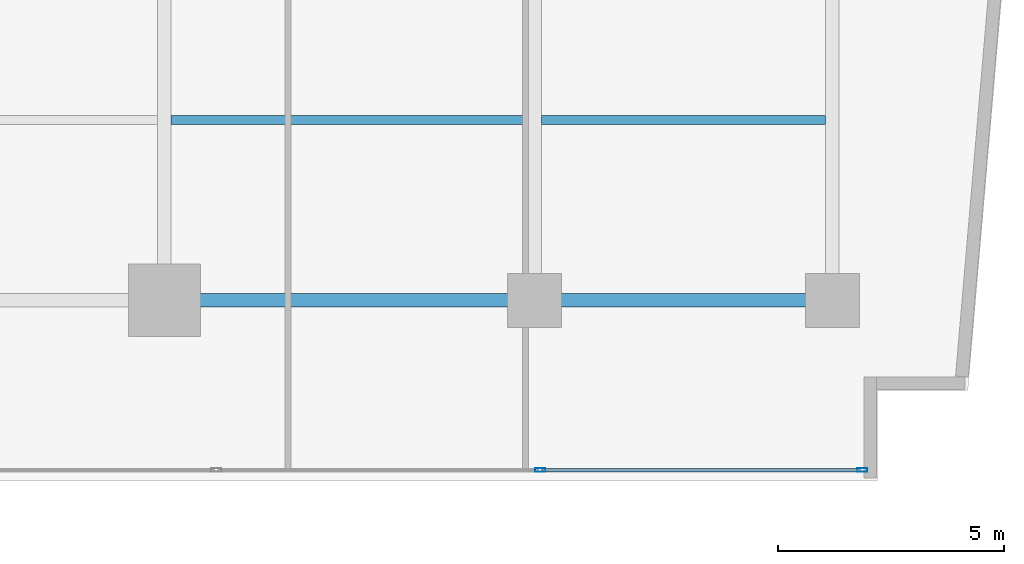
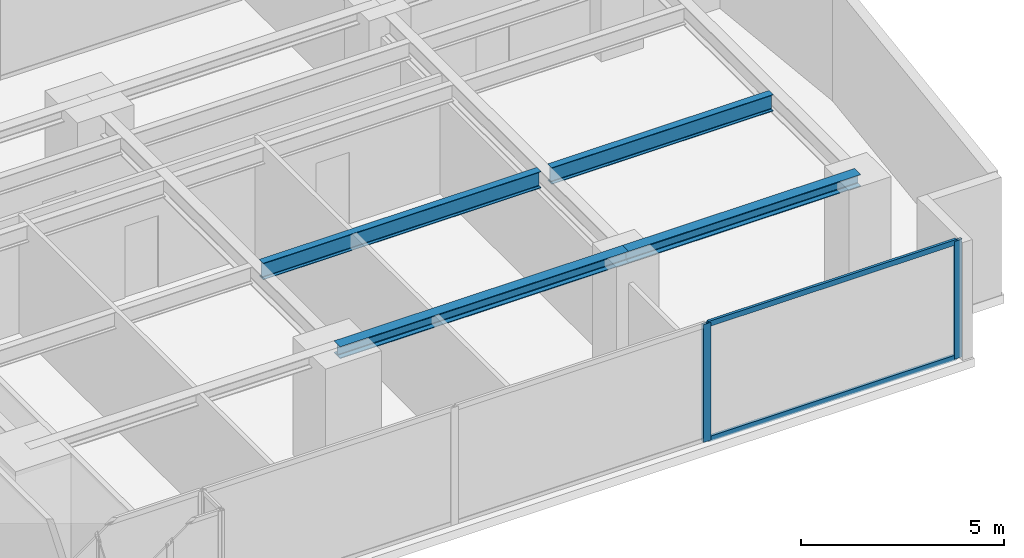
# One storey, part 11 of 28: 4 beams, 4 members, 1 element without a shape of its own.
"""IFC4 building model written with IfcOpenShell, lengths in metres."""

from ifc_helpers import new_model, si_unit, direction, frame, origin, origin_with_axes, origin_2d, place, context, subcontext, project, spatial, hollow_rectangle, i_section, extrude, source, transform, mapped, material, layer, layer_set, material_profile, profile_set, type_object, element, aggregate, save


model = new_model("IFC4")

# Units and contexts
model_context = context("Model", 3, precision=1e-05, world=origin(), true_north=direction((0.0, 1.0)))
body_context = subcontext(model_context, "Body", "Model", "MODEL_VIEW")
ifc_project = project(units=[si_unit("LENGTHUNIT", "METRE"), si_unit("AREAUNIT", "SQUARE_METRE"), si_unit("VOLUMEUNIT", "CUBIC_METRE"), si_unit("PLANEANGLEUNIT", "RADIAN"), si_unit("MASSUNIT", "GRAM", prefix="KILO")], contexts=[model_context])

# Site, building, storey
site_placement = place(None, origin())
site = spatial("IfcSite", under=ifc_project, at=site_placement, CompositionType="ELEMENT")
building_placement = place(site_placement, origin())
building = spatial("IfcBuilding", under=site, at=building_placement, Name="Kolvaren Waterfront Exchange", CompositionType="ELEMENT")
storey_placement = place(building_placement, frame((0.0, 0.0, 56.199951171875)))
storey = spatial("IfcBuildingStorey", under=building, at=storey_placement, Name="L14", CompositionType="ELEMENT", Elevation=56.199951171875)

# Beams
ifc_material_1 = material(Name="Steel S355", Category="steel")
ifc_material_profile_1 = material_profile(ifc_material_1, i_section(OverallWidth=0.300048828125, OverallDepth=0.360107421875, WebThickness=0.012451171875, FlangeThickness=0.0224609375, FilletRadius=0.027099609375, at=origin_2d()), Name="HEB360")
ifc_profile_set_1 = profile_set([ifc_material_profile_1], Name="Steel S355")
beam_type_1 = type_object("IfcBeamType", Name="STR-BM-HEB360", PredefinedType="SPANDREL", material=ifc_profile_set_1)
beam_1_placement = place(storey_placement, frame((45.60009765625, 5.199951171875, 3.360107421875), z_axis=(1.0, 0.0, 0.0), x_axis=(0.0, 1.0, 0.0)))
element("IfcBeam", 1, at=beam_1_placement, inside=storey, type_object=beam_type_1, Name="L14 east-arm spandrel S4", PredefinedType="SPANDREL", context=body_context, shape_type="SweptSolid", body=[
    extrude(i_section(OverallWidth=0.300048828125, OverallDepth=0.360107421875, WebThickness=0.012451171875, FlangeThickness=0.0224609375, FilletRadius=0.027099609375, at=origin_2d()), origin(), (0.0, 0.0, 1.0), 8.199951171875),
])
beam_2_placement = place(storey_placement, frame((53.800048828125, 5.199951171875, 3.360107421875), z_axis=(1.0, 0.0, 0.0), x_axis=(0.0, 1.0, 0.0)))
element("IfcBeam", 2, at=beam_2_placement, inside=storey, type_object=beam_type_1, Name="L14 east-arm spandrel S5", PredefinedType="SPANDREL", context=body_context, shape_type="SweptSolid", body=[
    extrude(i_section(OverallWidth=0.300048828125, OverallDepth=0.360107421875, WebThickness=0.012451171875, FlangeThickness=0.0224609375, FilletRadius=0.027099609375, at=origin_2d()), origin(), (0.0, 0.0, 1.0), 6.599853515625),
])
ifc_material_profile_2 = material_profile(ifc_material_1, i_section(OverallWidth=0.199951171875, OverallDepth=0.5, WebThickness=0.01025390625, FlangeThickness=0.01611328125, FilletRadius=0.02099609375, at=origin_2d()), Name="IPE500")
ifc_profile_set_2 = profile_set([ifc_material_profile_2], Name="Steel S355")
beam_type_2 = type_object("IfcBeamType", Name="STR-BM-IPE500", PredefinedType="JOIST", material=ifc_profile_set_2)
beam_3_placement = place(storey_placement, frame((45.751953125, 9.199951171875, 3.2900390625), z_axis=(1.0, 0.0, 0.0), x_axis=(0.0, 1.0, 0.0)))
element("IfcBeam", 3, at=beam_3_placement, inside=storey, type_object=beam_type_2, Name="L14 east-arm composite joist 4B", PredefinedType="JOIST", context=body_context, shape_type="SweptSolid", body=[
    extrude(i_section(OverallWidth=0.199951171875, OverallDepth=0.5, WebThickness=0.01025390625, FlangeThickness=0.01611328125, FilletRadius=0.02099609375, at=origin_2d()), origin(), (0.0, 0.0, 1.0), 7.89599609375),
])
beam_4_placement = place(storey_placement, frame((53.951904296875, 9.199951171875, 3.2900390625), z_axis=(1.0, 0.0, 0.0), x_axis=(0.0, 1.0, 0.0)))
element("IfcBeam", 4, at=beam_4_placement, inside=storey, type_object=beam_type_2, Name="L14 east-arm composite joist 5B", PredefinedType="JOIST", context=body_context, shape_type="SweptSolid", body=[
    extrude(i_section(OverallWidth=0.199951171875, OverallDepth=0.5, WebThickness=0.01025390625, FlangeThickness=0.01611328125, FilletRadius=0.02099609375, at=origin_2d()), origin(), (0.0, 0.0, 1.0), 6.296142578125),
])

# Curtain wall, members
ifc_material_2 = material(Name="Anodised bronze aluminium 6063-T6", Category="aluminium")
ifc_layer = layer(ifc_material_2, 0.219970703125, Name="Anodised bronze aluminium 6063-T6")
ifc_layer_set = layer_set([ifc_layer], Name="Anodised bronze aluminium 6063-T6")
curtain_wall_type = type_object("IfcCurtainWallType", Name="ARC-CW-SYS1", PredefinedType="USERDEFINED", material=ifc_layer_set)
curtain_wall_placement = place(storey_placement, origin())
curtain_wall = element("IfcCurtainWall", 5, at=curtain_wall_placement, inside=storey, type_object=curtain_wall_type, Name="L14 stick curtain wall CW1 (CW-L14-S)", ObjectType="STICK CURTAIN WALL", PredefinedType="USERDEFINED")
ifc_material_3 = material(Name="Anodised aluminium 6063-T6", Category="aluminium")
ifc_material_profile_3 = material_profile(ifc_material_3, hollow_rectangle(XDim=0.074951171875, YDim=0.159912109375, WallThickness=0.00439453125, at=origin_2d()), Name="ALU-TRN-160x75x4.5")
ifc_profile_set_3 = profile_set([ifc_material_profile_3], Name="Anodised aluminium 6063-T6")
member_type_1 = type_object("IfcMemberType", Name="ARC-CWT-160", PredefinedType="USERDEFINED", material=ifc_profile_set_3)
shared_shape_1 = source(origin_with_axes(), body_context, "Body", "SweptSolid", [
    extrude(hollow_rectangle(XDim=0.074951171875, YDim=0.159912109375, WallThickness=0.00439453125, at=origin_2d()), origin(), (0.0, 0.0, 1.0), 7.054931640625),
])
member_1_placement = place(storey_placement, frame((53.965087890625, 1.43994140625, 0.03759765625), z_axis=(1.0, 0.0, 0.0), x_axis=(0.0, 1.0, 0.0)))
member_1 = element("IfcMember", 6, at=member_1_placement, type_object=member_type_1, Name="CW1 transom 8.1", ObjectType="TRANSOM", PredefinedType="USERDEFINED", context=body_context, shape_type="MappedRepresentation", body=[
    mapped(shared_shape_1, transform((0.0, 0.0, 0.0), x_axis=(1.0, 0.0, 0.0), y_axis=(0.0, 1.0, 0.0), z_axis=(0.0, 0.0, 1.0), scale=1.0)),
])
member_2_placement = place(storey_placement, frame((53.965087890625, 1.43994140625, 3.50244140625), z_axis=(1.0, 0.0, 0.0), x_axis=(0.0, 1.0, 0.0)))
member_2 = element("IfcMember", 7, at=member_2_placement, type_object=member_type_1, Name="CW1 transom 8.2", ObjectType="TRANSOM", PredefinedType="USERDEFINED", context=body_context, shape_type="MappedRepresentation", body=[
    mapped(shared_shape_1, transform((0.0, 0.0, 0.0), x_axis=(1.0, 0.0, 0.0), y_axis=(0.0, 1.0, 0.0), z_axis=(0.0, 0.0, 1.0), scale=1.0)),
])
ifc_material_profile_4 = material_profile(ifc_material_3, hollow_rectangle(XDim=0.080078125, YDim=0.219970703125, WallThickness=0.0048828125, at=origin_2d()), Name="ALU-MUL-220x80x5")
ifc_profile_set_4 = profile_set([ifc_material_profile_4], Name="Anodised aluminium 6063-T6")
member_type_2 = type_object("IfcMemberType", Name="ARC-CWM-220", PredefinedType="MULLION", material=ifc_profile_set_4)
shared_shape_2 = source(origin_with_axes(), body_context, "Body", "SweptSolid", [
    extrude(hollow_rectangle(XDim=0.080078125, YDim=0.219970703125, WallThickness=0.0048828125, at=origin_2d()), origin(), (0.0, 0.0, 1.0), 3.5400390625),
])
member_3_placement = place(storey_placement, frame((53.925048828125, 1.43994140625, 0.0), z_axis=(0.0, 0.0, 1.0), x_axis=(0.0, 1.0, 0.0)))
member_3 = element("IfcMember", 8, at=member_3_placement, type_object=member_type_2, Name="CW1 mullion 8", PredefinedType="MULLION", context=body_context, shape_type="MappedRepresentation", body=[
    mapped(shared_shape_2, transform((0.0, 0.0, 0.0), x_axis=(1.0, 0.0, 0.0), y_axis=(0.0, 1.0, 0.0), z_axis=(0.0, 0.0, 1.0), scale=1.0)),
])
member_4_placement = place(storey_placement, frame((61.06005859375, 1.43994140625, 0.0), z_axis=(0.0, 0.0, 1.0), x_axis=(0.0, 1.0, 0.0)))
member_4 = element("IfcMember", 9, at=member_4_placement, type_object=member_type_2, Name="CW1 mullion 9", PredefinedType="MULLION", context=body_context, shape_type="MappedRepresentation", body=[
    mapped(shared_shape_2, transform((0.0, 0.0, 0.0), x_axis=(1.0, 0.0, 0.0), y_axis=(0.0, 1.0, 0.0), z_axis=(0.0, 0.0, 1.0), scale=1.0)),
])
aggregate(curtain_wall, [member_3, member_4, member_1, member_2])

save(model, "model.ifc")
